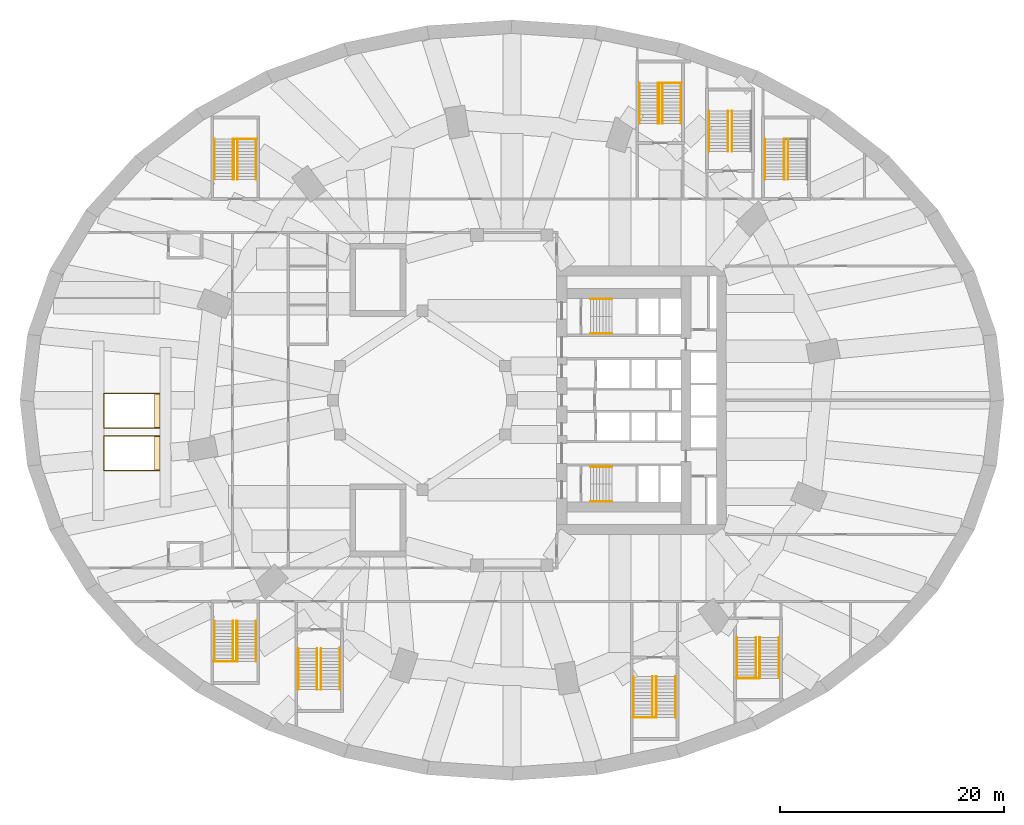
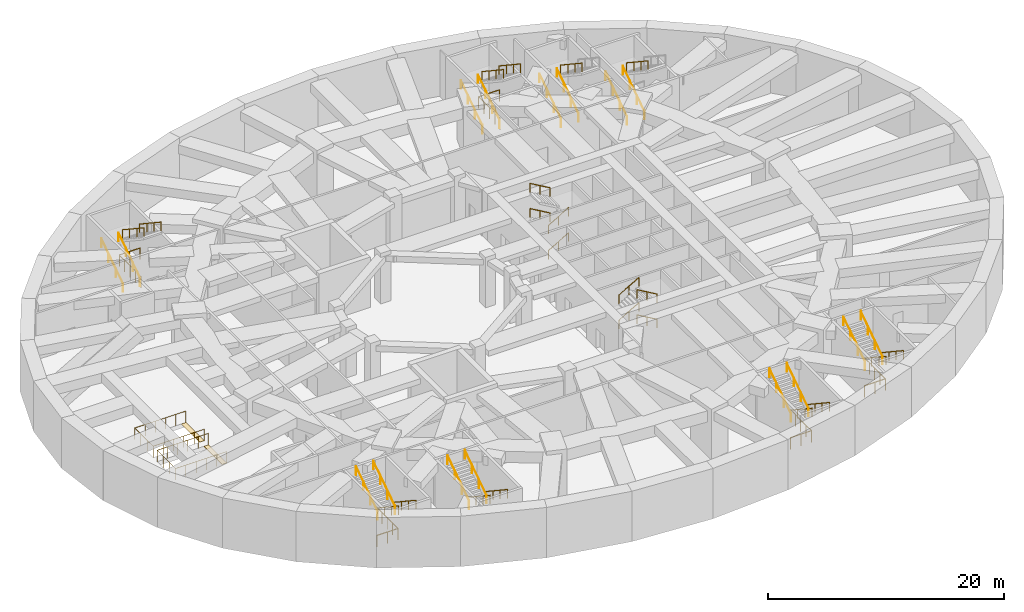
# One storey, part 12 of 14: 45 railings, 2 coverings.
"""IFC4 building model written with IfcOpenShell, lengths in metres."""

import ifcopenshell
import ifcopenshell.guid

model = None  # the IFC model being written
_history = None  # IfcOwnerHistory: only IFC2X3 demands one
_inside = {}  # id of a spatial element -> (the spatial element, [elements in it])
_under = {}  # id of a project, library or spatial element -> (it, [spatial elements below it])
_declared = {}  # id of a project -> (the project, [libraries it declares])
_typed = {}  # id of a type object -> (the type object, [elements of that type])
_made_of = {}  # id of a material, layer set ... -> (it, [elements and type objects made of it])


def new_model(schema):
    """Start an empty IFC model of exactly this schema.

    Asked for "IFC4X3", IfcOpenShell would pick the latest addendum, in which some entities
    have other attributes; the version numbers below select the first issue.
    IFC2X3 requires an IfcOwnerHistory on every rooted entity: one is made here for all.
    """
    global model, _history
    if schema == "IFC4X3":
        model = ifcopenshell.file(schema_version=(4, 3, 0, 0))
    else:
        model = ifcopenshell.file(schema=schema)
    _inside.clear()
    _under.clear()
    _declared.clear()
    _typed.clear()
    _made_of.clear()
    _history = None
    if model.schema == "IFC2X3":
        org = make("IfcOrganization", Name="unknown")
        user = make(
            "IfcPersonAndOrganization",
            ThePerson=make("IfcPerson", FamilyName="unknown"),
            TheOrganization=org,
        )
        app = make(
            "IfcApplication",
            ApplicationDeveloper=org,
            Version="unknown",
            ApplicationFullName="unknown",
            ApplicationIdentifier="unknown",
        )
        _history = make(
            "IfcOwnerHistory",
            OwningUser=user,
            OwningApplication=app,
            ChangeAction="ADDED",
            CreationDate=0,
        )
    return model


def make(cls, **values):
    """One entity of the class cls with the attributes given. An attribute that is None is left unset."""
    return model.create_entity(
        cls, **{name: value for name, value in values.items() if value is not None}
    )


def rooted(cls, **values):
    """An entity with a GlobalId (a new one), such as an element, a storey or a relation."""
    return make(cls, GlobalId=ifcopenshell.guid.new(), OwnerHistory=_history, **values)


def si_unit(unit_type, name, prefix=None):
    """IfcSIUnit, for example si_unit("LENGTHUNIT", "METRE", prefix="MILLI")."""
    return make("IfcSIUnit", UnitType=unit_type, Prefix=prefix, Name=name)


def assignment(units):
    """IfcUnitAssignment: the units of a project."""
    return None if units is None else make("IfcUnitAssignment", Units=units)


def point(xyz):
    """IfcCartesianPoint."""
    return None if xyz is None else make("IfcCartesianPoint", Coordinates=xyz)


def direction(xyz):
    """IfcDirection."""
    return None if xyz is None else make("IfcDirection", DirectionRatios=xyz)


def frame(location, z_axis=None, x_axis=None):
    """IfcAxis2Placement3D, a coordinate frame: its origin and axes. An axis left out is left unset."""
    return make(
        "IfcAxis2Placement3D",
        Location=point(location),
        Axis=direction(z_axis),
        RefDirection=direction(x_axis),
    )


def frame_2d(location, x_axis=None):
    """IfcAxis2Placement2D, a coordinate frame in the plane: its origin and x axis."""
    return make(
        "IfcAxis2Placement2D", Location=point(location), RefDirection=direction(x_axis)
    )


def origin():
    """The frame at (0, 0, 0) with its axes left unset."""
    return frame((0.0, 0.0, 0.0))


def origin_2d():
    """The frame at (0, 0) in the plane with its x axis left unset."""
    return frame_2d((0.0, 0.0))


def place(relative_to, where):
    """IfcLocalPlacement: puts the frame where relative to a parent placement (None: the world)."""
    return make(
        "IfcLocalPlacement", PlacementRelTo=relative_to, RelativePlacement=where
    )


def context(
    kind, dimensions, precision=None, world=None, true_north=None, identifier=None
):
    """IfcGeometricRepresentationContext, for example the 3D "Model" context."""
    return make(
        "IfcGeometricRepresentationContext",
        ContextIdentifier=identifier,
        ContextType=kind,
        CoordinateSpaceDimension=dimensions,
        Precision=precision,
        WorldCoordinateSystem=world,
        TrueNorth=true_north,
    )


def subcontext(parent, identifier, kind, view, scale=None):
    """IfcGeometricRepresentationSubContext, for example "Body" below "Model"."""
    return make(
        "IfcGeometricRepresentationSubContext",
        ContextIdentifier=identifier,
        ContextType=kind,
        ParentContext=parent,
        TargetScale=scale,
        TargetView=view,
    )


def project(units=None, contexts=None):
    """IfcProject with its units and contexts."""
    return rooted(
        "IfcProject",
        Name="project",
        RepresentationContexts=contexts,
        UnitsInContext=assignment(units),
    )


def spatial(cls, under=None, at=None, **own):
    """A site, building, storey or space (cls), placed at a placement, below another one or the project."""
    s = rooted(cls, ObjectPlacement=at, **own)
    if under is not None:
        _under.setdefault(under.id(), (under, []))[1].append(s)
    return s


def polyline(points):
    """IfcPolyline through the points."""
    return make("IfcPolyline", Points=[point(p) for p in points])


def profile(cls, at=None, kind="AREA", **sizes):
    """A parametric profile (cls). Its sizes go by their IFC names, for example OverallWidth=200.0."""
    return make(cls, ProfileType=kind, Position=at, **sizes)


def circle(**sizes):
    """IfcCircleProfileDef."""
    return profile("IfcCircleProfileDef", **sizes)


def outline(outer, holes=None, kind="AREA"):
    """IfcArbitraryClosedProfileDef: a profile drawn as a closed curve; with holes, ...WithVoids."""
    if holes is None:
        return make("IfcArbitraryClosedProfileDef", ProfileType=kind, OuterCurve=outer)
    return make(
        "IfcArbitraryProfileDefWithVoids",
        ProfileType=kind,
        OuterCurve=outer,
        InnerCurves=holes,
    )


def extrude(swept, where, along, depth):
    """IfcExtrudedAreaSolid: the profile swept, set in the frame where, extruded along a direction by depth."""
    return make(
        "IfcExtrudedAreaSolid",
        SweptArea=swept,
        Position=where,
        ExtrudedDirection=direction(along),
        Depth=depth,
    )


def shape(context_of_items, identifier, shape_type, items):
    """IfcShapeRepresentation: the items that make up one representation, for example the "Body"."""
    return make(
        "IfcShapeRepresentation",
        ContextOfItems=context_of_items,
        RepresentationIdentifier=identifier,
        RepresentationType=shape_type,
        Items=items,
    )


def material(Name=None, Category=None):
    """IfcMaterial."""
    return make("IfcMaterial", Name=Name, Category=Category)


def layer(
    of_material, thickness, ventilated=None, Name=None, Category=None, Priority=None
):
    """IfcMaterialLayer: one layer of a wall or slab, of a material (None: an air gap)."""
    return make(
        "IfcMaterialLayer",
        Material=of_material,
        LayerThickness=thickness,
        IsVentilated=ventilated,
        Name=Name,
        Category=Category,
        Priority=Priority,
    )


def layer_set(layers, Name=None):
    """IfcMaterialLayerSet."""
    return make("IfcMaterialLayerSet", MaterialLayers=layers, LayerSetName=Name)


def made_of(thing, what):
    """Note that an element or type object is made of a material, layer set ...; save() writes the relation."""
    if what is not None:
        _made_of.setdefault(what.id(), (what, []))[1].append(thing)
    return thing


def type_object(cls, material=None, **own):
    """A type object (cls), such as IfcWallType, which elements share."""
    return made_of(rooted(cls, **own), material)


def element(
    cls,
    number,
    at=None,
    inside=None,
    cuts=None,
    type_object=None,
    material=None,
    context=None,
    identifier="Body",
    shape_type=None,
    held_by="IfcProductDefinitionShape",
    body=None,
    shapes=None,
    **own,
):
    """One element of the class cls, such as IfcWall. Its Tag is "e" and its number.

    at: its placement. inside: the storey or other place that contains it. cuts: it is an
    opening in that element (IfcRelVoidsElement). A single representation is given by context,
    identifier, shape_type and body (its items); several are given by shapes. held_by: the class
    of the entity that holds the representations. save() writes the other relations.
    """
    e = rooted(cls, Tag="e%d" % number, ObjectPlacement=at, **own)
    if body is not None:
        shapes = [shape(context, identifier, shape_type, body)]
    if shapes is not None:
        e.Representation = make(held_by, Representations=shapes)
    if inside is not None:
        _inside.setdefault(inside.id(), (inside, []))[1].append(e)
    if cuts is not None:
        rooted(
            "IfcRelVoidsElement", RelatingBuildingElement=cuts, RelatedOpeningElement=e
        )
    if type_object is not None:
        _typed.setdefault(type_object.id(), (type_object, []))[1].append(e)
    return made_of(e, material)


def aggregate(whole, parts):
    """IfcRelAggregates: a whole, such as a stair, and the parts it consists of."""
    return rooted("IfcRelAggregates", RelatingObject=whole, RelatedObjects=parts)


def save(model, path):
    """Write the relations noted so far, then the file.

    IfcRelAggregates (storeys below a building ...), IfcRelContainedInSpatialStructure (elements
    in a storey), IfcRelDefinesByType, IfcRelAssociatesMaterial and IfcRelDeclares: one each for
    every whole, place, type object, material and project.
    """
    for whole, parts in _under.values():
        aggregate(whole, parts)
    for where, things in _inside.values():
        rooted(
            "IfcRelContainedInSpatialStructure",
            RelatedElements=things,
            RelatingStructure=where,
        )
    for kind, things in _typed.values():
        rooted("IfcRelDefinesByType", RelatedObjects=things, RelatingType=kind)
    for what, things in _made_of.values():
        rooted("IfcRelAssociatesMaterial", RelatedObjects=things, RelatingMaterial=what)
    for by, libraries in _declared.values():
        rooted("IfcRelDeclares", RelatingContext=by, RelatedDefinitions=libraries)
    model.write(path)


model = new_model("IFC4")

# Units and contexts
model_context = context("Model", 3, precision=1e-05, world=origin(), true_north=direction((0.0, 1.0)))
body_context = subcontext(model_context, "Body", "Model", "MODEL_VIEW")
ifc_project = project(units=[si_unit("LENGTHUNIT", "METRE"), si_unit("AREAUNIT", "SQUARE_METRE"), si_unit("VOLUMEUNIT", "CUBIC_METRE"), si_unit("PLANEANGLEUNIT", "RADIAN"), si_unit("MASSUNIT", "GRAM", prefix="KILO")], contexts=[model_context])

# Site, building, storey
site_placement = place(None, origin())
site = spatial("IfcSite", under=ifc_project, at=site_placement, CompositionType="ELEMENT")
building_placement = place(site_placement, origin())
building = spatial("IfcBuilding", under=site, at=building_placement, Name="Taillehof Tower", CompositionType="ELEMENT")
storey_placement = place(building_placement, frame((0.0, 0.0, -5.199951171875)))
storey = spatial("IfcBuildingStorey", under=building, at=storey_placement, Name="B1", CompositionType="ELEMENT", Elevation=-5.199951171875)

# Coverings
ifc_material_1 = material(Name="Terrazzo floor finish")
ifc_layer = layer(ifc_material_1, 0.030029296875)
ifc_layer_set = layer_set([ifc_layer], Name="Floor finish 30 mm")
covering_type = type_object("IfcCoveringType", Name="Floor finish 30 mm", PredefinedType="FLOORING", material=ifc_layer_set)
covering_1_placement = place(storey_placement, frame((0.0, 0.0, -0.030029296875)))
element("IfcCovering", 1, at=covering_1_placement, inside=storey, type_object=covering_type, Name="Escalator landing plate EA", PredefinedType="FLOORING", context=body_context, shape_type="SweptSolid", body=[
    extrude(outline(polyline([(-31.949951171875, -2.5), (-31.5, -2.5), (-31.5, 0.60009765625), (-31.949951171875, 0.60009765625), (-31.949951171875, -2.5)])), origin(), (0.0, 0.0, 1.0), 0.030029296875),
])
covering_2_placement = place(storey_placement, frame((0.0, 0.0, -0.030029296875)))
element("IfcCovering", 2, at=covering_2_placement, inside=storey, type_object=covering_type, Name="Escalator landing plate EB", PredefinedType="FLOORING", context=body_context, shape_type="SweptSolid", body=[
    extrude(outline(polyline([(-31.949951171875, -6.300048828125), (-31.5, -6.300048828125), (-31.5, -3.199951171875), (-31.949951171875, -3.199951171875), (-31.949951171875, -6.300048828125)])), origin(), (0.0, 0.0, 1.0), 0.030029296875),
])

# Railings
ifc_material_2 = material(Name="Stainless steel and laminated glass", Category="steel")
railing_type_1 = type_object("IfcRailingType", Name="Guard 1200 mm", PredefinedType="GUARDRAIL", material=ifc_material_2)
railing_1_placement = place(storey_placement, frame((-31.5, -2.5, 0.0)))
element("IfcRailing", 3, at=railing_1_placement, inside=storey, type_object=railing_type_1, Name="Guard EA", PredefinedType="GUARDRAIL", context=body_context, shape_type="SweptSolid", body=[
    extrude(circle(Radius=0.02392578125, at=origin_2d()), frame((0.0, 0.0, 1.17578125), z_axis=(-1.0, 0.0, 0.0), x_axis=(0.0, -1.0, 0.0)), (0.0, 0.0, 1.0), 5.0),
    extrude(circle(Radius=0.02392578125, at=origin_2d()), frame((-5.0, 0.0, 1.17578125), z_axis=(0.0, 1.0, 0.0), x_axis=(-1.0, 0.0, 0.0)), (0.0, 0.0, 1.0), 3.10009765625),
    extrude(circle(Radius=0.02392578125, at=origin_2d()), frame((-5.0, 3.10009765625, 1.17578125), z_axis=(1.0, 0.0, 0.0), x_axis=(0.0, 1.0, 0.0)), (0.0, 0.0, 1.0), 5.0),
    extrude(circle(Radius=0.02099609375, at=origin_2d()), origin(), (0.0, 0.0, 1.0), 1.15185546875),
    extrude(circle(Radius=0.02099609375, at=origin_2d()), frame((-1.0, 0.0, 0.0)), (0.0, 0.0, 1.0), 1.15185546875),
    extrude(circle(Radius=0.02099609375, at=origin_2d()), frame((-2.0, 0.0, 0.0)), (0.0, 0.0, 1.0), 1.15185546875),
    extrude(circle(Radius=0.02099609375, at=origin_2d()), frame((-3.0, 0.0, 0.0)), (0.0, 0.0, 1.0), 1.15185546875),
    extrude(circle(Radius=0.02099609375, at=origin_2d()), frame((-4.0, 0.0, 0.0)), (0.0, 0.0, 1.0), 1.15185546875),
    extrude(circle(Radius=0.02099609375, at=origin_2d()), frame((-5.0, 0.0, 0.0)), (0.0, 0.0, 1.0), 1.15185546875),
    extrude(circle(Radius=0.02099609375, at=origin_2d()), frame((-5.0, 1.033447265625, 0.0)), (0.0, 0.0, 1.0), 1.15185546875),
    extrude(circle(Radius=0.02099609375, at=origin_2d()), frame((-5.0, 2.066650390625, 0.0)), (0.0, 0.0, 1.0), 1.15185546875),
    extrude(circle(Radius=0.02099609375, at=origin_2d()), frame((-5.0, 3.10009765625, 0.0)), (0.0, 0.0, 1.0), 1.15185546875),
    extrude(circle(Radius=0.02099609375, at=origin_2d()), frame((-4.0, 3.10009765625, 0.0)), (0.0, 0.0, 1.0), 1.15185546875),
    extrude(circle(Radius=0.02099609375, at=origin_2d()), frame((-3.0, 3.10009765625, 0.0)), (0.0, 0.0, 1.0), 1.15185546875),
    extrude(circle(Radius=0.02099609375, at=origin_2d()), frame((-2.0, 3.10009765625, 0.0)), (0.0, 0.0, 1.0), 1.15185546875),
    extrude(circle(Radius=0.02099609375, at=origin_2d()), frame((-1.0, 3.10009765625, 0.0)), (0.0, 0.0, 1.0), 1.15185546875),
    extrude(circle(Radius=0.02099609375, at=origin_2d()), frame((0.0, 3.10009765625, 0.0)), (0.0, 0.0, 1.0), 1.15185546875),
])
railing_2_placement = place(storey_placement, frame((-31.5, -6.300048828125, 0.0)))
element("IfcRailing", 4, at=railing_2_placement, inside=storey, type_object=railing_type_1, Name="Guard EB", PredefinedType="GUARDRAIL", context=body_context, shape_type="SweptSolid", body=[
    extrude(circle(Radius=0.02392578125, at=origin_2d()), frame((0.0, 0.0, 1.17578125), z_axis=(-1.0, 0.0, 0.0), x_axis=(0.0, -1.0, 0.0)), (0.0, 0.0, 1.0), 5.0),
    extrude(circle(Radius=0.02392578125, at=origin_2d()), frame((-5.0, 0.0, 1.17578125), z_axis=(0.0, 1.0, 0.0), x_axis=(-1.0, 0.0, 0.0)), (0.0, 0.0, 1.0), 3.10009765625),
    extrude(circle(Radius=0.02392578125, at=origin_2d()), frame((-5.0, 3.10009765625, 1.17578125), z_axis=(1.0, 0.0, 0.0), x_axis=(0.0, 1.0, 0.0)), (0.0, 0.0, 1.0), 5.0),
    extrude(circle(Radius=0.02099609375, at=origin_2d()), origin(), (0.0, 0.0, 1.0), 1.15185546875),
    extrude(circle(Radius=0.02099609375, at=origin_2d()), frame((-1.0, 0.0, 0.0)), (0.0, 0.0, 1.0), 1.15185546875),
    extrude(circle(Radius=0.02099609375, at=origin_2d()), frame((-2.0, 0.0, 0.0)), (0.0, 0.0, 1.0), 1.15185546875),
    extrude(circle(Radius=0.02099609375, at=origin_2d()), frame((-3.0, 0.0, 0.0)), (0.0, 0.0, 1.0), 1.15185546875),
    extrude(circle(Radius=0.02099609375, at=origin_2d()), frame((-4.0, 0.0, 0.0)), (0.0, 0.0, 1.0), 1.15185546875),
    extrude(circle(Radius=0.02099609375, at=origin_2d()), frame((-5.0, 0.0, 0.0)), (0.0, 0.0, 1.0), 1.15185546875),
    extrude(circle(Radius=0.02099609375, at=origin_2d()), frame((-5.0, 1.033447265625, 0.0)), (0.0, 0.0, 1.0), 1.15185546875),
    extrude(circle(Radius=0.02099609375, at=origin_2d()), frame((-5.0, 2.066650390625, 0.0)), (0.0, 0.0, 1.0), 1.15185546875),
    extrude(circle(Radius=0.02099609375, at=origin_2d()), frame((-5.0, 3.10009765625, 0.0)), (0.0, 0.0, 1.0), 1.15185546875),
    extrude(circle(Radius=0.02099609375, at=origin_2d()), frame((-4.0, 3.10009765625, 0.0)), (0.0, 0.0, 1.0), 1.15185546875),
    extrude(circle(Radius=0.02099609375, at=origin_2d()), frame((-3.0, 3.10009765625, 0.0)), (0.0, 0.0, 1.0), 1.15185546875),
    extrude(circle(Radius=0.02099609375, at=origin_2d()), frame((-2.0, 3.10009765625, 0.0)), (0.0, 0.0, 1.0), 1.15185546875),
    extrude(circle(Radius=0.02099609375, at=origin_2d()), frame((-1.0, 3.10009765625, 0.0)), (0.0, 0.0, 1.0), 1.15185546875),
    extrude(circle(Radius=0.02099609375, at=origin_2d()), frame((0.0, 3.10009765625, 0.0)), (0.0, 0.0, 1.0), 1.15185546875),
])
railing_3_placement = place(storey_placement, frame((-24.875, 19.72509765625, 0.0)))
element("IfcRailing", 5, at=railing_3_placement, inside=storey, type_object=railing_type_1, Name="Guard B1", PredefinedType="GUARDRAIL", context=body_context, shape_type="SweptSolid", body=[
    extrude(circle(Radius=0.02392578125, at=origin_2d()), frame((0.0, 0.0, 1.17578125), z_axis=(0.0, 1.0, 0.0), x_axis=(-1.0, 0.0, 0.0)), (0.0, 0.0, 1.0), 3.639892578125),
    extrude(circle(Radius=0.02392578125, at=origin_2d()), frame((0.0, 3.639892578125, 1.17578125), z_axis=(1.0, 0.0, 0.0), x_axis=(0.0, 1.0, 0.0)), (0.0, 0.0, 1.0), 2.050048828125),
    extrude(circle(Radius=0.02099609375, at=origin_2d()), origin(), (0.0, 0.0, 1.0), 1.15185546875),
    extrude(circle(Radius=0.02099609375, at=origin_2d()), frame((0.0, 0.909912109375, 0.0)), (0.0, 0.0, 1.0), 1.15185546875),
    extrude(circle(Radius=0.02099609375, at=origin_2d()), frame((0.0, 1.81982421875, 0.0)), (0.0, 0.0, 1.0), 1.15185546875),
    extrude(circle(Radius=0.02099609375, at=origin_2d()), frame((0.0, 2.72998046875, 0.0)), (0.0, 0.0, 1.0), 1.15185546875),
    extrude(circle(Radius=0.02099609375, at=origin_2d()), frame((0.0, 3.639892578125, 0.0)), (0.0, 0.0, 1.0), 1.15185546875),
    extrude(circle(Radius=0.02099609375, at=origin_2d()), frame((1.02490234375, 3.639892578125, 0.0)), (0.0, 0.0, 1.0), 1.15185546875),
    extrude(circle(Radius=0.02099609375, at=origin_2d()), frame((2.050048828125, 3.639892578125, 0.0)), (0.0, 0.0, 1.0), 1.15185546875),
])
railing_4_placement = place(storey_placement, frame((-24.625, -19.72509765625, 0.0)))
element("IfcRailing", 6, at=railing_4_placement, inside=storey, type_object=railing_type_1, Name="Guard B2", PredefinedType="GUARDRAIL", context=body_context, shape_type="SweptSolid", body=[
    extrude(circle(Radius=0.02392578125, at=origin_2d()), frame((0.0, 0.0, 1.17578125), z_axis=(0.0, -1.0, 0.0), x_axis=(1.0, 0.0, 0.0)), (0.0, 0.0, 1.0), 3.639892578125),
    extrude(circle(Radius=0.02392578125, at=origin_2d()), frame((0.0, -3.639892578125, 1.17578125), z_axis=(-1.0, 0.0, 0.0), x_axis=(0.0, -1.0, 0.0)), (0.0, 0.0, 1.0), 2.050048828125),
    extrude(circle(Radius=0.02099609375, at=origin_2d()), origin(), (0.0, 0.0, 1.0), 1.15185546875),
    extrude(circle(Radius=0.02099609375, at=origin_2d()), frame((0.0, -0.909912109375, 0.0)), (0.0, 0.0, 1.0), 1.15185546875),
    extrude(circle(Radius=0.02099609375, at=origin_2d()), frame((0.0, -1.81982421875, 0.0)), (0.0, 0.0, 1.0), 1.15185546875),
    extrude(circle(Radius=0.02099609375, at=origin_2d()), frame((0.0, -2.72998046875, 0.0)), (0.0, 0.0, 1.0), 1.15185546875),
    extrude(circle(Radius=0.02099609375, at=origin_2d()), frame((0.0, -3.639892578125, 0.0)), (0.0, 0.0, 1.0), 1.15185546875),
    extrude(circle(Radius=0.02099609375, at=origin_2d()), frame((-1.02490234375, -3.639892578125, 0.0)), (0.0, 0.0, 1.0), 1.15185546875),
    extrude(circle(Radius=0.02099609375, at=origin_2d()), frame((-2.050048828125, -3.639892578125, 0.0)), (0.0, 0.0, 1.0), 1.15185546875),
])
railing_5_placement = place(storey_placement, frame((13.125, 24.72509765625, 0.0)))
element("IfcRailing", 7, at=railing_5_placement, inside=storey, type_object=railing_type_1, Name="Guard B3", PredefinedType="GUARDRAIL", context=body_context, shape_type="SweptSolid", body=[
    extrude(circle(Radius=0.02392578125, at=origin_2d()), frame((0.0, 0.0, 1.17578125), z_axis=(0.0, 1.0, 0.0), x_axis=(-1.0, 0.0, 0.0)), (0.0, 0.0, 1.0), 3.639892578125),
    extrude(circle(Radius=0.02392578125, at=origin_2d()), frame((0.0, 3.639892578125, 1.17578125), z_axis=(1.0, 0.0, 0.0), x_axis=(0.0, 1.0, 0.0)), (0.0, 0.0, 1.0), 2.050048828125),
    extrude(circle(Radius=0.02099609375, at=origin_2d()), origin(), (0.0, 0.0, 1.0), 1.15185546875),
    extrude(circle(Radius=0.02099609375, at=origin_2d()), frame((0.0, 0.909912109375, 0.0)), (0.0, 0.0, 1.0), 1.15185546875),
    extrude(circle(Radius=0.02099609375, at=origin_2d()), frame((0.0, 1.81982421875, 0.0)), (0.0, 0.0, 1.0), 1.15185546875),
    extrude(circle(Radius=0.02099609375, at=origin_2d()), frame((0.0, 2.72998046875, 0.0)), (0.0, 0.0, 1.0), 1.15185546875),
    extrude(circle(Radius=0.02099609375, at=origin_2d()), frame((0.0, 3.639892578125, 0.0)), (0.0, 0.0, 1.0), 1.15185546875),
    extrude(circle(Radius=0.02099609375, at=origin_2d()), frame((1.02490234375, 3.639892578125, 0.0)), (0.0, 0.0, 1.0), 1.15185546875),
    extrude(circle(Radius=0.02099609375, at=origin_2d()), frame((2.050048828125, 3.639892578125, 0.0)), (0.0, 0.0, 1.0), 1.15185546875),
])
for number, where, name in (
    (8, (22.125, -21.22509765625, 0.0), "Guard B4"),
    (9, (12.875, -24.72509765625, 0.0), "Guard B6"),
):
    element("IfcRailing", number, at=place(storey_placement, frame(where)), inside=storey, type_object=railing_type_1, Name=name, PredefinedType="GUARDRAIL", context=body_context, shape_type="SweptSolid", body=[
        extrude(circle(Radius=0.02392578125, at=origin_2d()), frame((0.0, 0.0, 1.17578125), z_axis=(0.0, -1.0, 0.0), x_axis=(1.0, 0.0, 0.0)), (0.0, 0.0, 1.0), 3.639892578125),
        extrude(circle(Radius=0.02392578125, at=origin_2d()), frame((0.0, -3.639892578125, 1.17578125), z_axis=(-1.0, 0.0, 0.0), x_axis=(0.0, -1.0, 0.0)), (0.0, 0.0, 1.0), 2.050048828125),
        extrude(circle(Radius=0.02099609375, at=origin_2d()), origin(), (0.0, 0.0, 1.0), 1.15185546875),
        extrude(circle(Radius=0.02099609375, at=origin_2d()), frame((0.0, -0.909912109375, 0.0)), (0.0, 0.0, 1.0), 1.15185546875),
        extrude(circle(Radius=0.02099609375, at=origin_2d()), frame((0.0, -1.81982421875, 0.0)), (0.0, 0.0, 1.0), 1.15185546875),
        extrude(circle(Radius=0.02099609375, at=origin_2d()), frame((0.0, -2.72998046875, 0.0)), (0.0, 0.0, 1.0), 1.15185546875),
        extrude(circle(Radius=0.02099609375, at=origin_2d()), frame((0.0, -3.639892578125, 0.0)), (0.0, 0.0, 1.0), 1.15185546875),
        extrude(circle(Radius=0.02099609375, at=origin_2d()), frame((-1.02490234375, -3.639892578125, 0.0)), (0.0, 0.0, 1.0), 1.15185546875),
        extrude(circle(Radius=0.02099609375, at=origin_2d()), frame((-2.050048828125, -3.639892578125, 0.0)), (0.0, 0.0, 1.0), 1.15185546875),
    ])
ifc_material_3 = material(Name="Stainless steel tube", Category="steel")
railing_type_2 = type_object("IfcRailingType", Name="Handrail 900 mm", PredefinedType="HANDRAIL", material=ifc_material_3)
for number, where, name in (
    (10, (-26.614990234375, 19.72509765625, 0.185546875), "Handrail ES1"),
    (11, (-24.93505859375, 19.72509765625, 0.185546875), "Handrail ES1"),
):
    element("IfcRailing", number, at=place(storey_placement, frame(where)), inside=storey, type_object=railing_type_2, Name=name, PredefinedType="HANDRAIL", context=body_context, shape_type="SweptSolid", body=[
        extrude(circle(Radius=0.02392578125, at=origin_2d()), frame((0.0, 0.0, 0.8759765625), z_axis=(0.0, 0.833346510843, 0.552750932036), x_axis=(-1.0, 0.0, 0.0)), (0.0, 0.0, 1.0), 4.367919921875),
        extrude(circle(Radius=0.02099609375, at=origin_2d()), origin(), (0.0, 0.0, 1.0), 0.851806640625),
        extrude(circle(Radius=0.02099609375, at=origin_2d()), frame((0.0, 1.21337890625, 0.8046875)), (0.0, 0.0, 1.0), 0.851806640625),
        extrude(circle(Radius=0.02099609375, at=origin_2d()), frame((0.0, 2.426513671875, 1.609619140625)), (0.0, 0.0, 1.0), 0.851806640625),
        extrude(circle(Radius=0.02099609375, at=origin_2d()), frame((0.0, 3.639892578125, 2.414306640625)), (0.0, 0.0, 1.0), 0.851806640625),
    ])
for number, where, name in (
    (12, (-24.56494140625, 23.364990234375, 2.78564453125), "Handrail ES1"),
    (13, (-22.885009765625, 23.364990234375, 2.78564453125), "Handrail ES1"),
    (14, (-22.885009765625, -19.72509765625, 0.185546875), "Handrail ES2"),
    (15, (-24.56494140625, -19.72509765625, 0.185546875), "Handrail ES2"),
):
    element("IfcRailing", number, at=place(storey_placement, frame(where)), inside=storey, type_object=railing_type_2, Name=name, PredefinedType="HANDRAIL", context=body_context, shape_type="SweptSolid", body=[
        extrude(circle(Radius=0.02392578125, at=origin_2d()), frame((0.0, 0.0, 0.8759765625), z_axis=(0.0, -0.833346510843, 0.552750932036), x_axis=(1.0, 0.0, 0.0)), (0.0, 0.0, 1.0), 4.367919921875),
        extrude(circle(Radius=0.02099609375, at=origin_2d()), origin(), (0.0, 0.0, 1.0), 0.851806640625),
        extrude(circle(Radius=0.02099609375, at=origin_2d()), frame((0.0, -1.21337890625, 0.8046875)), (0.0, 0.0, 1.0), 0.851806640625),
        extrude(circle(Radius=0.02099609375, at=origin_2d()), frame((0.0, -2.426513671875, 1.609619140625)), (0.0, 0.0, 1.0), 0.851806640625),
        extrude(circle(Radius=0.02099609375, at=origin_2d()), frame((0.0, -3.639892578125, 2.414306640625)), (0.0, 0.0, 1.0), 0.851806640625),
    ])
for number, where, name in (
    (16, (-24.93505859375, -23.364990234375, 2.78564453125), "Handrail ES2"),
    (17, (-26.614990234375, -23.364990234375, 2.78564453125), "Handrail ES2"),
    (18, (11.385009765625, 24.72509765625, 0.185546875), "Handrail ES3"),
    (19, (13.06494140625, 24.72509765625, 0.185546875), "Handrail ES3"),
):
    element("IfcRailing", number, at=place(storey_placement, frame(where)), inside=storey, type_object=railing_type_2, Name=name, PredefinedType="HANDRAIL", context=body_context, shape_type="SweptSolid", body=[
        extrude(circle(Radius=0.02392578125, at=origin_2d()), frame((0.0, 0.0, 0.8759765625), z_axis=(0.0, 0.833346510843, 0.552750932036), x_axis=(-1.0, 0.0, 0.0)), (0.0, 0.0, 1.0), 4.367919921875),
        extrude(circle(Radius=0.02099609375, at=origin_2d()), origin(), (0.0, 0.0, 1.0), 0.851806640625),
        extrude(circle(Radius=0.02099609375, at=origin_2d()), frame((0.0, 1.21337890625, 0.8046875)), (0.0, 0.0, 1.0), 0.851806640625),
        extrude(circle(Radius=0.02099609375, at=origin_2d()), frame((0.0, 2.426513671875, 1.609619140625)), (0.0, 0.0, 1.0), 0.851806640625),
        extrude(circle(Radius=0.02099609375, at=origin_2d()), frame((0.0, 3.639892578125, 2.414306640625)), (0.0, 0.0, 1.0), 0.851806640625),
    ])
for number, where, name in (
    (20, (13.43505859375, 28.364990234375, 2.78564453125), "Handrail ES3"),
    (21, (15.114990234375, 28.364990234375, 2.78564453125), "Handrail ES3"),
    (22, (23.864990234375, -21.22509765625, 0.185546875), "Handrail ES4"),
    (23, (22.18505859375, -21.22509765625, 0.185546875), "Handrail ES4"),
):
    element("IfcRailing", number, at=place(storey_placement, frame(where)), inside=storey, type_object=railing_type_2, Name=name, PredefinedType="HANDRAIL", context=body_context, shape_type="SweptSolid", body=[
        extrude(circle(Radius=0.02392578125, at=origin_2d()), frame((0.0, 0.0, 0.8759765625), z_axis=(0.0, -0.833346510843, 0.552750932036), x_axis=(1.0, 0.0, 0.0)), (0.0, 0.0, 1.0), 4.367919921875),
        extrude(circle(Radius=0.02099609375, at=origin_2d()), origin(), (0.0, 0.0, 1.0), 0.851806640625),
        extrude(circle(Radius=0.02099609375, at=origin_2d()), frame((0.0, -1.21337890625, 0.8046875)), (0.0, 0.0, 1.0), 0.851806640625),
        extrude(circle(Radius=0.02099609375, at=origin_2d()), frame((0.0, -2.426513671875, 1.609619140625)), (0.0, 0.0, 1.0), 0.851806640625),
        extrude(circle(Radius=0.02099609375, at=origin_2d()), frame((0.0, -3.639892578125, 2.414306640625)), (0.0, 0.0, 1.0), 0.851806640625),
    ])
for number, where, name in (
    (24, (21.81494140625, -24.864990234375, 2.78564453125), "Handrail ES4"),
    (25, (20.135009765625, -24.864990234375, 2.78564453125), "Handrail ES4"),
    (26, (22.635009765625, 19.72509765625, 0.185546875), "Handrail ES5"),
    (27, (24.31494140625, 19.72509765625, 0.185546875), "Handrail ES5"),
):
    element("IfcRailing", number, at=place(storey_placement, frame(where)), inside=storey, type_object=railing_type_2, Name=name, PredefinedType="HANDRAIL", context=body_context, shape_type="SweptSolid", body=[
        extrude(circle(Radius=0.02392578125, at=origin_2d()), frame((0.0, 0.0, 0.8759765625), z_axis=(0.0, 0.833346510843, 0.552750932036), x_axis=(-1.0, 0.0, 0.0)), (0.0, 0.0, 1.0), 4.367919921875),
        extrude(circle(Radius=0.02099609375, at=origin_2d()), origin(), (0.0, 0.0, 1.0), 0.851806640625),
        extrude(circle(Radius=0.02099609375, at=origin_2d()), frame((0.0, 1.21337890625, 0.8046875)), (0.0, 0.0, 1.0), 0.851806640625),
        extrude(circle(Radius=0.02099609375, at=origin_2d()), frame((0.0, 2.426513671875, 1.609619140625)), (0.0, 0.0, 1.0), 0.851806640625),
        extrude(circle(Radius=0.02099609375, at=origin_2d()), frame((0.0, 3.639892578125, 2.414306640625)), (0.0, 0.0, 1.0), 0.851806640625),
    ])
for number, where, name in (
    (28, (24.68505859375, 23.364990234375, 2.78564453125), "Handrail ES5"),
    (29, (14.614990234375, -24.72509765625, 0.185546875), "Handrail ES6"),
    (30, (12.93505859375, -24.72509765625, 0.185546875), "Handrail ES6"),
):
    element("IfcRailing", number, at=place(storey_placement, frame(where)), inside=storey, type_object=railing_type_2, Name=name, PredefinedType="HANDRAIL", context=body_context, shape_type="SweptSolid", body=[
        extrude(circle(Radius=0.02392578125, at=origin_2d()), frame((0.0, 0.0, 0.8759765625), z_axis=(0.0, -0.833346510843, 0.552750932036), x_axis=(1.0, 0.0, 0.0)), (0.0, 0.0, 1.0), 4.367919921875),
        extrude(circle(Radius=0.02099609375, at=origin_2d()), origin(), (0.0, 0.0, 1.0), 0.851806640625),
        extrude(circle(Radius=0.02099609375, at=origin_2d()), frame((0.0, -1.21337890625, 0.8046875)), (0.0, 0.0, 1.0), 0.851806640625),
        extrude(circle(Radius=0.02099609375, at=origin_2d()), frame((0.0, -2.426513671875, 1.609619140625)), (0.0, 0.0, 1.0), 0.851806640625),
        extrude(circle(Radius=0.02099609375, at=origin_2d()), frame((0.0, -3.639892578125, 2.414306640625)), (0.0, 0.0, 1.0), 0.851806640625),
    ])
for number, where, name in (
    (31, (12.56494140625, -28.364990234375, 2.78564453125), "Handrail ES6"),
    (32, (10.885009765625, -28.364990234375, 2.78564453125), "Handrail ES6"),
    (33, (17.635009765625, 22.22509765625, 0.185546875), "Handrail ES7"),
    (34, (19.31494140625, 22.22509765625, 0.185546875), "Handrail ES7"),
):
    element("IfcRailing", number, at=place(storey_placement, frame(where)), inside=storey, type_object=railing_type_2, Name=name, PredefinedType="HANDRAIL", context=body_context, shape_type="SweptSolid", body=[
        extrude(circle(Radius=0.02392578125, at=origin_2d()), frame((0.0, 0.0, 0.8759765625), z_axis=(0.0, 0.833346510843, 0.552750932036), x_axis=(-1.0, 0.0, 0.0)), (0.0, 0.0, 1.0), 4.367919921875),
        extrude(circle(Radius=0.02099609375, at=origin_2d()), origin(), (0.0, 0.0, 1.0), 0.851806640625),
        extrude(circle(Radius=0.02099609375, at=origin_2d()), frame((0.0, 1.21337890625, 0.8046875)), (0.0, 0.0, 1.0), 0.851806640625),
        extrude(circle(Radius=0.02099609375, at=origin_2d()), frame((0.0, 2.426513671875, 1.609619140625)), (0.0, 0.0, 1.0), 0.851806640625),
        extrude(circle(Radius=0.02099609375, at=origin_2d()), frame((0.0, 3.639892578125, 2.414306640625)), (0.0, 0.0, 1.0), 0.851806640625),
    ])
for number, where, name in (
    (35, (19.68505859375, 25.864990234375, 2.78564453125), "Handrail ES7"),
    (36, (-15.385009765625, -22.22509765625, 0.185546875), "Handrail ES8"),
    (37, (-17.06494140625, -22.22509765625, 0.185546875), "Handrail ES8"),
):
    element("IfcRailing", number, at=place(storey_placement, frame(where)), inside=storey, type_object=railing_type_2, Name=name, PredefinedType="HANDRAIL", context=body_context, shape_type="SweptSolid", body=[
        extrude(circle(Radius=0.02392578125, at=origin_2d()), frame((0.0, 0.0, 0.8759765625), z_axis=(0.0, -0.833346510843, 0.552750932036), x_axis=(1.0, 0.0, 0.0)), (0.0, 0.0, 1.0), 4.367919921875),
        extrude(circle(Radius=0.02099609375, at=origin_2d()), origin(), (0.0, 0.0, 1.0), 0.851806640625),
        extrude(circle(Radius=0.02099609375, at=origin_2d()), frame((0.0, -1.21337890625, 0.8046875)), (0.0, 0.0, 1.0), 0.851806640625),
        extrude(circle(Radius=0.02099609375, at=origin_2d()), frame((0.0, -2.426513671875, 1.609619140625)), (0.0, 0.0, 1.0), 0.851806640625),
        extrude(circle(Radius=0.02099609375, at=origin_2d()), frame((0.0, -3.639892578125, 2.414306640625)), (0.0, 0.0, 1.0), 0.851806640625),
    ])
for number, where, name in (
    (38, (-17.43505859375, -25.864990234375, 2.78564453125), "Handrail ES8"),
    (39, (-19.114990234375, -25.864990234375, 2.78564453125), "Handrail ES8"),
):
    element("IfcRailing", number, at=place(storey_placement, frame(where)), inside=storey, type_object=railing_type_2, Name=name, PredefinedType="HANDRAIL", context=body_context, shape_type="SweptSolid", body=[
        extrude(circle(Radius=0.02392578125, at=origin_2d()), frame((0.0, 0.0, 0.8759765625), z_axis=(0.0, 0.833346510843, 0.552750932036), x_axis=(-1.0, 0.0, 0.0)), (0.0, 0.0, 1.0), 4.367919921875),
        extrude(circle(Radius=0.02099609375, at=origin_2d()), origin(), (0.0, 0.0, 1.0), 0.851806640625),
        extrude(circle(Radius=0.02099609375, at=origin_2d()), frame((0.0, 1.21337890625, 0.8046875)), (0.0, 0.0, 1.0), 0.851806640625),
        extrude(circle(Radius=0.02099609375, at=origin_2d()), frame((0.0, 2.426513671875, 1.609619140625)), (0.0, 0.0, 1.0), 0.851806640625),
        extrude(circle(Radius=0.02099609375, at=origin_2d()), frame((0.0, 3.639892578125, 2.414306640625)), (0.0, 0.0, 1.0), 0.851806640625),
    ])
ifc_material_4 = material(Name="Stainless steel", Category="steel")
railing_type_3 = type_object("IfcRailingType", Name="Stair handrail 900", PredefinedType="HANDRAIL", material=ifc_material_4)
railing_6_placement = place(storey_placement, frame((7.0, 5.949951171875, 0.162353515625)))
element("IfcRailing", 40, at=railing_6_placement, inside=storey, type_object=railing_type_3, Name="Stair S1 handrail", PredefinedType="HANDRAIL", context=body_context, shape_type="SweptSolid", body=[
    extrude(circle(Radius=0.02392578125, at=origin_2d()), frame((0.0, 0.0, 0.8759765625), z_axis=(0.864855337533, 0.0, 0.502021160053), x_axis=(0.0, 1.0, 0.0)), (0.0, 0.0, 1.0), 2.26611328125),
    extrude(circle(Radius=0.02099609375, at=origin_2d()), origin(), (0.0, 0.0, 1.0), 0.851806640625),
    extrude(circle(Radius=0.02099609375, at=origin_2d()), frame((0.97998046875, 0.0, 0.56884765625)), (0.0, 0.0, 1.0), 0.851806640625),
    extrude(circle(Radius=0.02099609375, at=origin_2d()), frame((1.9599609375, 0.0, 1.1376953125)), (0.0, 0.0, 1.0), 0.851806640625),
])
railing_7_placement = place(storey_placement, frame((8.9599609375, 9.050048828125, 1.46240234375)))
element("IfcRailing", 41, at=railing_7_placement, inside=storey, type_object=railing_type_3, Name="Stair S1 handrail", PredefinedType="HANDRAIL", context=body_context, shape_type="SweptSolid", body=[
    extrude(circle(Radius=0.02392578125, at=origin_2d()), frame((0.0, 0.0, 0.8759765625), z_axis=(-0.864902109995, 0.0, 0.501940574298), x_axis=(0.0, -1.0, 0.0)), (0.0, 0.0, 1.0), 2.26611328125),
    extrude(circle(Radius=0.02099609375, at=origin_2d()), origin(), (0.0, 0.0, 1.0), 0.851806640625),
    extrude(circle(Radius=0.02099609375, at=origin_2d()), frame((-0.97998046875, 0.0, 0.56884765625)), (0.0, 0.0, 1.0), 0.851806640625),
    extrude(circle(Radius=0.02099609375, at=origin_2d()), frame((-1.9599609375, 0.0, 1.137451171875)), (0.0, 0.0, 1.0), 0.851806640625),
])
railing_8_placement = place(storey_placement, frame((7.0, 5.949951171875, 2.762451171875)))
element("IfcRailing", 42, at=railing_8_placement, inside=storey, type_object=railing_type_3, Name="Stair S1 handrail", PredefinedType="HANDRAIL", context=body_context, shape_type="SweptSolid", body=[
    extrude(circle(Radius=0.02392578125, at=origin_2d()), frame((0.0, 0.0, 0.8759765625), z_axis=(0.864902109995, 0.0, 0.501940574298), x_axis=(0.0, 1.0, 0.0)), (0.0, 0.0, 1.0), 2.26611328125),
    extrude(circle(Radius=0.02099609375, at=origin_2d()), origin(), (0.0, 0.0, 1.0), 0.851806640625),
    extrude(circle(Radius=0.02099609375, at=origin_2d()), frame((0.97998046875, 0.0, 0.56884765625)), (0.0, 0.0, 1.0), 0.851806640625),
    extrude(circle(Radius=0.02099609375, at=origin_2d()), frame((1.9599609375, 0.0, 1.137451171875)), (0.0, 0.0, 1.0), 0.851806640625),
])
railing_9_placement = place(storey_placement, frame((8.9599609375, 9.050048828125, 4.0625)))
element("IfcRailing", 43, at=railing_9_placement, inside=storey, type_object=railing_type_3, Name="Stair S1 handrail", PredefinedType="HANDRAIL", context=body_context, shape_type="SweptSolid", body=[
    extrude(circle(Radius=0.02392578125, at=origin_2d()), frame((0.0, 0.0, 0.8759765625), z_axis=(-0.864902109995, 0.0, 0.501940574298), x_axis=(0.0, -1.0, 0.0)), (0.0, 0.0, 1.0), 2.26611328125),
    extrude(circle(Radius=0.02099609375, at=origin_2d()), origin(), (0.0, 0.0, 1.0), 0.851806640625),
    extrude(circle(Radius=0.02099609375, at=origin_2d()), frame((-0.97998046875, 0.0, 0.56884765625)), (0.0, 0.0, 1.0), 0.851806640625),
    extrude(circle(Radius=0.02099609375, at=origin_2d()), frame((-1.9599609375, 0.0, 1.137451171875)), (0.0, 0.0, 1.0), 0.851806640625),
])
railing_10_placement = place(storey_placement, frame((7.0, -5.949951171875, 0.162353515625)))
element("IfcRailing", 44, at=railing_10_placement, inside=storey, type_object=railing_type_3, Name="Stair S2 handrail", PredefinedType="HANDRAIL", context=body_context, shape_type="SweptSolid", body=[
    extrude(circle(Radius=0.02392578125, at=origin_2d()), frame((0.0, 0.0, 0.8759765625), z_axis=(0.864855337533, 0.0, 0.502021160053), x_axis=(0.0, 1.0, 0.0)), (0.0, 0.0, 1.0), 2.26611328125),
    extrude(circle(Radius=0.02099609375, at=origin_2d()), origin(), (0.0, 0.0, 1.0), 0.851806640625),
    extrude(circle(Radius=0.02099609375, at=origin_2d()), frame((0.97998046875, 0.0, 0.56884765625)), (0.0, 0.0, 1.0), 0.851806640625),
    extrude(circle(Radius=0.02099609375, at=origin_2d()), frame((1.9599609375, 0.0, 1.1376953125)), (0.0, 0.0, 1.0), 0.851806640625),
])
railing_11_placement = place(storey_placement, frame((8.9599609375, -9.050048828125, 1.46240234375)))
element("IfcRailing", 45, at=railing_11_placement, inside=storey, type_object=railing_type_3, Name="Stair S2 handrail", PredefinedType="HANDRAIL", context=body_context, shape_type="SweptSolid", body=[
    extrude(circle(Radius=0.02392578125, at=origin_2d()), frame((0.0, 0.0, 0.8759765625), z_axis=(-0.864902109995, 0.0, 0.501940574298), x_axis=(0.0, -1.0, 0.0)), (0.0, 0.0, 1.0), 2.26611328125),
    extrude(circle(Radius=0.02099609375, at=origin_2d()), origin(), (0.0, 0.0, 1.0), 0.851806640625),
    extrude(circle(Radius=0.02099609375, at=origin_2d()), frame((-0.97998046875, 0.0, 0.56884765625)), (0.0, 0.0, 1.0), 0.851806640625),
    extrude(circle(Radius=0.02099609375, at=origin_2d()), frame((-1.9599609375, 0.0, 1.137451171875)), (0.0, 0.0, 1.0), 0.851806640625),
])
railing_12_placement = place(storey_placement, frame((7.0, -5.949951171875, 2.762451171875)))
element("IfcRailing", 46, at=railing_12_placement, inside=storey, type_object=railing_type_3, Name="Stair S2 handrail", PredefinedType="HANDRAIL", context=body_context, shape_type="SweptSolid", body=[
    extrude(circle(Radius=0.02392578125, at=origin_2d()), frame((0.0, 0.0, 0.8759765625), z_axis=(0.864902109995, 0.0, 0.501940574298), x_axis=(0.0, 1.0, 0.0)), (0.0, 0.0, 1.0), 2.26611328125),
    extrude(circle(Radius=0.02099609375, at=origin_2d()), origin(), (0.0, 0.0, 1.0), 0.851806640625),
    extrude(circle(Radius=0.02099609375, at=origin_2d()), frame((0.97998046875, 0.0, 0.56884765625)), (0.0, 0.0, 1.0), 0.851806640625),
    extrude(circle(Radius=0.02099609375, at=origin_2d()), frame((1.9599609375, 0.0, 1.137451171875)), (0.0, 0.0, 1.0), 0.851806640625),
])
railing_13_placement = place(storey_placement, frame((8.9599609375, -9.050048828125, 4.0625)))
element("IfcRailing", 47, at=railing_13_placement, inside=storey, type_object=railing_type_3, Name="Stair S2 handrail", PredefinedType="HANDRAIL", context=body_context, shape_type="SweptSolid", body=[
    extrude(circle(Radius=0.02392578125, at=origin_2d()), frame((0.0, 0.0, 0.8759765625), z_axis=(-0.864902109995, 0.0, 0.501940574298), x_axis=(0.0, -1.0, 0.0)), (0.0, 0.0, 1.0), 2.26611328125),
    extrude(circle(Radius=0.02099609375, at=origin_2d()), origin(), (0.0, 0.0, 1.0), 0.851806640625),
    extrude(circle(Radius=0.02099609375, at=origin_2d()), frame((-0.97998046875, 0.0, 0.56884765625)), (0.0, 0.0, 1.0), 0.851806640625),
    extrude(circle(Radius=0.02099609375, at=origin_2d()), frame((-1.9599609375, 0.0, 1.137451171875)), (0.0, 0.0, 1.0), 0.851806640625),
])

save(model, "model.ifc")
